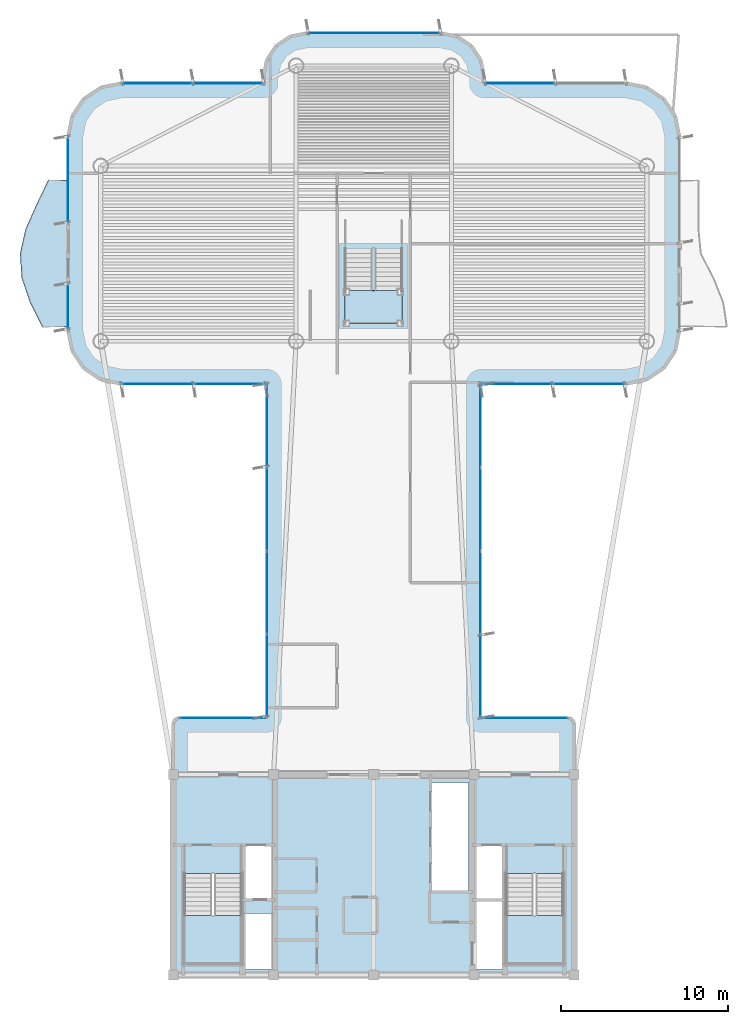
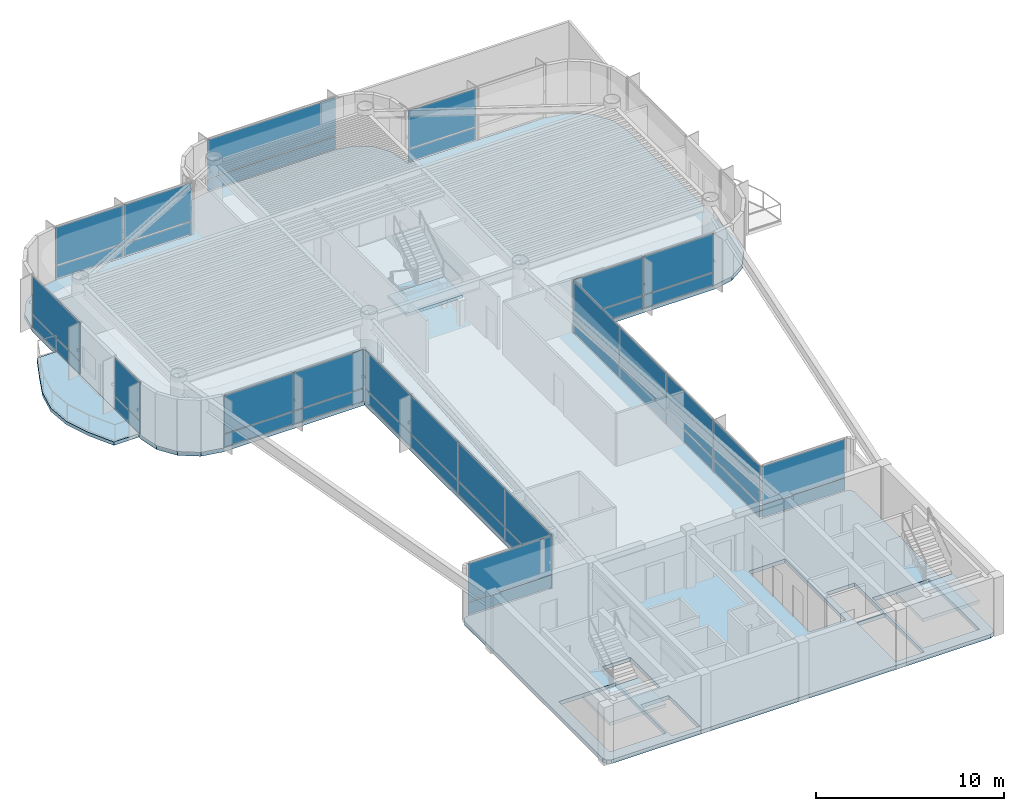
# One storey, part 9 of 17: 40 plates, 5 slabs, 14 elements without a shape of their own.
"""IFC4 building model written with IfcOpenShell, lengths in metres."""

from ifc_helpers import new_model, si_unit, direction, frame, origin, origin_2d, place, context, subcontext, project, spatial, polyline, rectangle, outline, extrude, source, transform, mapped, material, layer, layer_set, type_object, element, aggregate, save


model = new_model("IFC4")

# Units and contexts
model_context = context("Model", 3, precision=1e-05, world=origin(), true_north=direction((0.0, 1.0)))
body_context = subcontext(model_context, "Body", "Model", "MODEL_VIEW")
ifc_project = project(units=[si_unit("LENGTHUNIT", "METRE"), si_unit("AREAUNIT", "SQUARE_METRE"), si_unit("VOLUMEUNIT", "CUBIC_METRE"), si_unit("PLANEANGLEUNIT", "RADIAN"), si_unit("MASSUNIT", "GRAM", prefix="KILO")], contexts=[model_context])

# Site, building, storey
site_placement = place(None, origin())
site = spatial("IfcSite", under=ifc_project, at=site_placement, CompositionType="ELEMENT")
building_placement = place(site_placement, origin())
building = spatial("IfcBuilding", under=site, at=building_placement, Name="Brelvock Crest Care Tower", CompositionType="ELEMENT")
storey_placement = place(building_placement, frame((0.0, 0.0, 287.280029296875)))
storey = spatial("IfcBuildingStorey", under=building, at=storey_placement, Name="L73", CompositionType="ELEMENT", Elevation=287.280029296875)

# Slabs
ifc_material_1 = material(Name="Concrete N50 (50 MPa)", Category="concrete")
ifc_layer_1 = layer(ifc_material_1, 0.22998046875, Name="SLB-FL4")
ifc_layer_set_1 = layer_set([ifc_layer_1], Name="Concrete N50 (50 MPa)")
slab_type_1 = type_object("IfcSlabType", Name="SLB-FL4", PredefinedType="FLOOR", material=ifc_layer_set_1)
slab_1_placement = place(storey_placement, frame((0.0, 0.0, -0.25)))
element("IfcSlab", 1, at=slab_1_placement, inside=storey, type_object=slab_type_1, Name="L73 Main Structural Slab", PredefinedType="FLOOR", context=body_context, shape_type="SweptSolid", body=[
    extrude(outline(polyline([(47.64990234375, 21.39990234375), (42.39990234375, 21.39990234375), (42.39990234375, 41.39990234375), (51.10009765625, 41.39990234375), (52.32470703125, 41.6435546875), (53.36279296875, 42.33740234375), (54.056396484375, 43.37548828125), (54.300048828125, 44.60009765625), (54.300048828125, 56.199951171875), (54.056396484375, 57.424560546875), (53.36279296875, 58.462646484375), (52.32470703125, 59.156494140625), (51.10009765625, 59.39990234375), (42.60009765625, 59.39990234375), (42.60009765625, 59.800048828125), (42.402099609375, 60.794921875), (41.83837890625, 61.638427734375), (40.9951171875, 62.2021484375), (40.0, 62.39990234375), (32.0, 62.39990234375), (31.0048828125, 62.2021484375), (30.16162109375, 61.638427734375), (29.597900390625, 60.794921875), (29.39990234375, 59.800048828125), (29.39990234375, 59.39990234375), (20.89990234375, 59.39990234375), (19.67529296875, 59.156494140625), (18.63720703125, 58.462646484375), (17.943603515625, 57.424560546875), (17.699951171875, 56.199951171875), (17.699951171875, 44.60009765625), (17.943603515625, 43.37548828125), (18.63720703125, 42.33740234375), (19.67529296875, 41.6435546875), (20.89990234375, 41.39990234375), (29.60009765625, 41.39990234375), (29.60009765625, 21.39990234375), (24.35009765625, 21.39990234375), (24.1025390625, 21.297607421875), (24.0, 21.050048828125), (24.0, 6.35009765625), (24.1025390625, 6.1025390625), (24.35009765625, 6.0), (47.64990234375, 6.0), (47.8974609375, 6.1025390625), (48.0, 6.35009765625), (48.0, 21.050048828125), (47.8974609375, 21.297607421875), (47.64990234375, 21.39990234375)]), holes=[polyline([(28.239990234375, 10.580078125), (29.97998046875, 10.580078125), (29.97998046875, 13.739990234375), (28.239990234375, 13.739990234375), (28.239990234375, 10.580078125)]), polyline([(42.02001953125, 10.580078125), (43.760009765625, 10.580078125), (43.760009765625, 13.739990234375), (42.02001953125, 13.739990234375), (42.02001953125, 10.580078125)]), polyline([(28.239990234375, 6.340087890625), (29.97998046875, 6.340087890625), (29.97998046875, 9.64990234375), (28.239990234375, 9.64990234375), (28.239990234375, 6.340087890625)]), polyline([(24.6298828125, 12.080078125), (24.6298828125, 6.699951171875), (28.110107421875, 6.699951171875), (28.110107421875, 12.080078125), (24.6298828125, 12.080078125)]), polyline([(43.889892578125, 12.080078125), (43.889892578125, 6.699951171875), (47.3701171875, 6.699951171875), (47.3701171875, 12.080078125), (43.889892578125, 12.080078125)]), polyline([(42.02001953125, 6.340087890625), (43.760009765625, 6.340087890625), (43.760009765625, 10.5), (42.02001953125, 10.5), (42.02001953125, 6.340087890625)]), polyline([(39.429931640625, 11.030029296875), (41.669921875, 11.030029296875), (41.669921875, 17.52001953125), (39.429931640625, 17.52001953125), (39.429931640625, 11.030029296875)])]), origin(), (0.0, 0.0, 1.0), 0.25),
])
ifc_layer_2 = layer(ifc_material_1, 0.219970703125, Name="SLB-WB1")
ifc_layer_set_2 = layer_set([ifc_layer_2], Name="Concrete N50 (50 MPa)")
slab_type_2 = type_object("IfcSlabType", Name="SLB-WB1", PredefinedType="FLOOR", material=ifc_layer_set_2)
slab_2_placement = place(storey_placement, frame((0.0, 0.0, -0.219970703125)))
element("IfcSlab", 2, at=slab_2_placement, inside=storey, type_object=slab_type_2, Name="L73 W Sinusoidal Wave Balcony Slab", PredefinedType="FLOOR", context=body_context, shape_type="SweptSolid", body=[
    extrude(outline(polyline([(17.699951171875, 53.60009765625), (16.5, 53.60009765625), (15.800537109375, 52.13330078125), (15.146728515625, 50.666748046875), (14.816650390625, 49.199951171875), (14.916748046875, 47.7333984375), (15.414794921875, 46.2666015625), (16.14990234375, 44.800048828125), (17.699951171875, 44.800048828125), (17.699951171875, 53.60009765625)])), origin(), (0.0, 0.0, 1.0), 0.219970703125),
])

# Stair, slab
ifc_material_2 = material(Name="Concrete N40 (40 MPa)", Category="concrete")
stair_type_1 = type_object("IfcStairType", Name="ST-CORE1", PredefinedType="HALF_TURN_STAIR", material=ifc_material_2)
stair_1_placement = place(storey_placement, origin())
stair_1 = element("IfcStair", 3, at=stair_1_placement, inside=storey, type_object=stair_type_1, Name="L73 Fire-Isolated Core Stair ST-1", PredefinedType="HALF_TURN_STAIR")
ifc_layer_3 = layer(ifc_material_2, 0.199951171875, Name="STL-1")
ifc_layer_set_3 = layer_set([ifc_layer_3], Name="Concrete N40 (40 MPa)")
slab_type_3 = type_object("IfcSlabType", Name="STL-1", PredefinedType="LANDING", material=ifc_layer_set_3)
slab_3_placement = place(storey_placement, frame((0.0, 0.0, 1.68994140625)))
slab_3 = element("IfcSlab", 4, at=slab_3_placement, type_object=slab_type_3, Name="ST-1 landing 1", PredefinedType="LANDING", context=body_context, shape_type="SweptSolid", body=[
    extrude(outline(polyline([(24.6298828125, 9.56005859375), (24.6298828125, 6.699951171875), (28.110107421875, 6.699951171875), (28.110107421875, 9.56005859375), (24.6298828125, 9.56005859375)])), origin(), (0.0, 0.0, 1.0), 0.199951171875),
])
aggregate(stair_1, [slab_3])

stair_2_placement = place(storey_placement, origin())
stair_2 = element("IfcStair", 5, at=stair_2_placement, inside=storey, type_object=stair_type_1, Name="L73 Fire-Isolated Core Stair ST-2", PredefinedType="HALF_TURN_STAIR")
slab_4_placement = place(storey_placement, frame((0.0, 0.0, 1.68994140625)))
slab_4 = element("IfcSlab", 6, at=slab_4_placement, type_object=slab_type_3, Name="ST-2 landing 1", PredefinedType="LANDING", context=body_context, shape_type="SweptSolid", body=[
    extrude(outline(polyline([(43.889892578125, 9.56005859375), (43.889892578125, 6.699951171875), (47.3701171875, 6.699951171875), (47.3701171875, 9.56005859375), (43.889892578125, 9.56005859375)])), origin(), (0.0, 0.0, 1.0), 0.199951171875),
])
aggregate(stair_2, [slab_4])

stair_type_2 = type_object("IfcStairType", Name="ST-FEA1", PredefinedType="HALF_TURN_STAIR", material=ifc_material_2)
stair_3_placement = place(storey_placement, origin())
stair_3 = element("IfcStair", 7, at=stair_3_placement, inside=storey, type_object=stair_type_2, Name="L73 Sky Observation Gallery Stair ST-6", PredefinedType="HALF_TURN_STAIR")
slab_5_placement = place(storey_placement, frame((0.0, 0.0, 1.68994140625)))
slab_5 = element("IfcSlab", 8, at=slab_5_placement, type_object=slab_type_3, Name="ST-6 landing 1", PredefinedType="LANDING", context=body_context, shape_type="SweptSolid", body=[
    extrude(outline(polyline([(34.239990234375, 46.97998046875), (34.239990234375, 45.0), (37.719970703125, 45.0), (37.719970703125, 46.97998046875), (34.239990234375, 46.97998046875)])), origin(), (0.0, 0.0, 1.0), 0.199951171875),
])
aggregate(stair_3, [slab_5])

# Curtain wall, plate
ifc_material_3 = material(Name="Dark Glass Double Glazed Low-E", Category="glass")
ifc_layer_4 = layer(ifc_material_3, 0.2548828125, Name="CWS-6")
ifc_layer_set_4 = layer_set([ifc_layer_4], Name="Dark Glass Double Glazed Low-E")
curtain_wall_type = type_object("IfcCurtainWallType", Name="CWS-6", PredefinedType="NOTDEFINED", material=ifc_layer_set_4)
curtain_wall_1_placement = place(storey_placement, origin())
curtain_wall_1 = element("IfcCurtainWall", 9, at=curtain_wall_1_placement, inside=storey, type_object=curtain_wall_type, Name="L73 Curtain Wall E10", PredefinedType="NOTDEFINED")
ifc_material_4 = material(Name="Dark Glass Shadow-Box Spandrel", Category="glass")
ifc_layer_5 = layer(ifc_material_4, 0.048095703125, Name="CWP-SP1")
ifc_layer_set_5 = layer_set([ifc_layer_5], Name="Dark Glass Shadow-Box Spandrel")
plate_type_1 = type_object("IfcPlateType", Name="CWP-SP1", PredefinedType="SHEET", material=ifc_layer_set_5)
shared_shape_1 = source(origin(), body_context, "Body", "SweptSolid", [
    extrude(rectangle(XDim=5.1201171875, YDim=0.035888671875, at=origin_2d()), origin(), (0.0, 0.0, 1.0), 0.802490234375),
])
plate_1_placement = place(storey_placement, frame((26.97509765625, 21.39990234375, 0.06494140625), z_axis=(0.0, 0.0, 1.0), x_axis=(1.0, 0.0, 0.0)))
plate_1 = element("IfcPlate", 10, at=plate_1_placement, type_object=plate_type_1, Name="CW-6 panel 1.1", PredefinedType="SHEET", context=body_context, shape_type="MappedRepresentation", body=[
    mapped(shared_shape_1, transform((0.0, 0.0, 0.0), x_axis=(1.0, 0.0, 0.0), y_axis=(0.0, 1.0, 0.0), z_axis=(0.0, 0.0, 1.0), scale=1.0)),
])

curtain_wall_2_placement = place(storey_placement, origin())
curtain_wall_2 = element("IfcCurtainWall", 11, at=curtain_wall_2_placement, inside=storey, type_object=curtain_wall_type, Name="L73 Curtain Wall E46", PredefinedType="NOTDEFINED")
plate_2_placement = place(storey_placement, frame((45.02490234375, 21.39990234375, 0.06494140625), z_axis=(0.0, 0.0, 1.0), x_axis=(1.0, 0.0, 0.0)))
plate_2 = element("IfcPlate", 12, at=plate_2_placement, type_object=plate_type_1, Name="CW-6 panel 1.1", PredefinedType="SHEET", context=body_context, shape_type="MappedRepresentation", body=[
    mapped(shared_shape_1, transform((0.0, 0.0, 0.0), x_axis=(1.0, 0.0, 0.0), y_axis=(0.0, 1.0, 0.0), z_axis=(0.0, 0.0, 1.0), scale=1.0)),
])

# Curtain wall, plates
curtain_wall_3_placement = place(storey_placement, origin())
curtain_wall_3 = element("IfcCurtainWall", 13, at=curtain_wall_3_placement, inside=storey, type_object=curtain_wall_type, Name="L73 Curtain Wall E11", PredefinedType="NOTDEFINED")
shared_shape_2 = source(origin(), body_context, "Body", "SweptSolid", [
    extrude(rectangle(XDim=4.902587890625, YDim=0.035888671875, at=origin_2d()), origin(), (0.0, 0.0, 1.0), 0.802490234375),
])
plate_3_placement = place(storey_placement, frame((29.60009765625, 23.916259765625, 0.06494140625), z_axis=(0.0, 0.0, 1.0), x_axis=(0.0, 1.0, 0.0)))
plate_3 = element("IfcPlate", 14, at=plate_3_placement, type_object=plate_type_1, Name="CW-6 panel 1.1", PredefinedType="SHEET", context=body_context, shape_type="MappedRepresentation", body=[
    mapped(shared_shape_2, transform((0.0, 0.0, 0.0), x_axis=(1.0, 0.0, 0.0), y_axis=(0.0, 1.0, 0.0), z_axis=(0.0, 0.0, 1.0), scale=1.0)),
])
plate_4_placement = place(storey_placement, frame((29.60009765625, 38.8837890625, 0.06494140625), z_axis=(0.0, 0.0, 1.0), x_axis=(0.0, 1.0, 0.0)))
plate_4 = element("IfcPlate", 15, at=plate_4_placement, type_object=plate_type_1, Name="CW-6 panel 4.1", PredefinedType="SHEET", context=body_context, shape_type="MappedRepresentation", body=[
    mapped(shared_shape_2, transform((0.0, 0.0, 0.0), x_axis=(1.0, 0.0, 0.0), y_axis=(0.0, 1.0, 0.0), z_axis=(0.0, 0.0, 1.0), scale=1.0)),
])

curtain_wall_4_placement = place(storey_placement, origin())
curtain_wall_4 = element("IfcCurtainWall", 16, at=curtain_wall_4_placement, inside=storey, type_object=curtain_wall_type, Name="L73 Curtain Wall E45", PredefinedType="NOTDEFINED")
plate_5_placement = place(storey_placement, frame((42.39990234375, 38.8837890625, 0.06494140625), z_axis=(0.0, 0.0, 1.0), x_axis=(0.0, -1.0, 0.0)))
plate_5 = element("IfcPlate", 17, at=plate_5_placement, type_object=plate_type_1, Name="CW-6 panel 1.1", PredefinedType="SHEET", context=body_context, shape_type="MappedRepresentation", body=[
    mapped(shared_shape_2, transform((0.0, 0.0, 0.0), x_axis=(1.0, 0.0, 0.0), y_axis=(0.0, 1.0, 0.0), z_axis=(0.0, 0.0, 1.0), scale=1.0)),
])
plate_6_placement = place(storey_placement, frame((42.39990234375, 23.916259765625, 0.06494140625), z_axis=(0.0, 0.0, 1.0), x_axis=(0.0, -1.0, 0.0)))
plate_6 = element("IfcPlate", 18, at=plate_6_placement, type_object=plate_type_1, Name="CW-6 panel 4.1", PredefinedType="SHEET", context=body_context, shape_type="MappedRepresentation", body=[
    mapped(shared_shape_2, transform((0.0, 0.0, 0.0), x_axis=(1.0, 0.0, 0.0), y_axis=(0.0, 1.0, 0.0), z_axis=(0.0, 0.0, 1.0), scale=1.0)),
])

# Plate
shared_shape_3 = source(origin(), body_context, "Body", "SweptSolid", [
    extrude(rectangle(XDim=4.93505859375, YDim=0.035888671875, at=origin_2d()), origin(), (0.0, 0.0, 1.0), 0.802490234375),
])
plate_7_placement = place(storey_placement, frame((29.60009765625, 28.89990234375, 0.06494140625), z_axis=(0.0, 0.0, 1.0), x_axis=(0.0, 1.0, 0.0)))
plate_7 = element("IfcPlate", 19, at=plate_7_placement, type_object=plate_type_1, Name="CW-6 panel 2.1", PredefinedType="SHEET", context=body_context, shape_type="MappedRepresentation", body=[
    mapped(shared_shape_3, transform((0.0, 0.0, 0.0), x_axis=(1.0, 0.0, 0.0), y_axis=(0.0, 1.0, 0.0), z_axis=(0.0, 0.0, 1.0), scale=1.0)),
])

plate_8_placement = place(storey_placement, frame((29.60009765625, 33.89990234375, 0.06494140625), z_axis=(0.0, 0.0, 1.0), x_axis=(0.0, 1.0, 0.0)))
plate_8 = element("IfcPlate", 20, at=plate_8_placement, type_object=plate_type_1, Name="CW-6 panel 3.1", PredefinedType="SHEET", context=body_context, shape_type="MappedRepresentation", body=[
    mapped(shared_shape_3, transform((0.0, 0.0, 0.0), x_axis=(1.0, 0.0, 0.0), y_axis=(0.0, 1.0, 0.0), z_axis=(0.0, 0.0, 1.0), scale=1.0)),
])

plate_9_placement = place(storey_placement, frame((42.39990234375, 33.89990234375, 0.06494140625), z_axis=(0.0, 0.0, 1.0), x_axis=(0.0, -1.0, 0.0)))
plate_9 = element("IfcPlate", 21, at=plate_9_placement, type_object=plate_type_1, Name="CW-6 panel 2.1", PredefinedType="SHEET", context=body_context, shape_type="MappedRepresentation", body=[
    mapped(shared_shape_3, transform((0.0, 0.0, 0.0), x_axis=(1.0, 0.0, 0.0), y_axis=(0.0, 1.0, 0.0), z_axis=(0.0, 0.0, 1.0), scale=1.0)),
])

plate_10_placement = place(storey_placement, frame((42.39990234375, 28.89990234375, 0.06494140625), z_axis=(0.0, 0.0, 1.0), x_axis=(0.0, -1.0, 0.0)))
plate_10 = element("IfcPlate", 22, at=plate_10_placement, type_object=plate_type_1, Name="CW-6 panel 3.1", PredefinedType="SHEET", context=body_context, shape_type="MappedRepresentation", body=[
    mapped(shared_shape_3, transform((0.0, 0.0, 0.0), x_axis=(1.0, 0.0, 0.0), y_axis=(0.0, 1.0, 0.0), z_axis=(0.0, 0.0, 1.0), scale=1.0)),
])

# Curtain wall, plates
curtain_wall_5_placement = place(storey_placement, origin())
curtain_wall_5 = element("IfcCurtainWall", 23, at=curtain_wall_5_placement, inside=storey, type_object=curtain_wall_type, Name="L73 Curtain Wall E22", PredefinedType="NOTDEFINED")
shared_shape_4 = source(origin(), body_context, "Body", "SweptSolid", [
    extrude(rectangle(XDim=4.152587890625, YDim=0.035888671875, at=origin_2d()), origin(), (0.0, 0.0, 1.0), 0.802490234375),
])
plate_11_placement = place(storey_placement, frame((23.041259765625, 59.39990234375, 0.06494140625), z_axis=(0.0, 0.0, 1.0), x_axis=(1.0, 0.0, 0.0)))
plate_11 = element("IfcPlate", 24, at=plate_11_placement, type_object=plate_type_1, Name="CW-6 panel 1.1", PredefinedType="SHEET", context=body_context, shape_type="MappedRepresentation", body=[
    mapped(shared_shape_4, transform((0.0, 0.0, 0.0), x_axis=(1.0, 0.0, 0.0), y_axis=(0.0, 1.0, 0.0), z_axis=(0.0, 0.0, 1.0), scale=1.0)),
])
plate_12_placement = place(storey_placement, frame((27.2587890625, 59.39990234375, 0.06494140625), z_axis=(0.0, 0.0, 1.0), x_axis=(1.0, 0.0, 0.0)))
plate_12 = element("IfcPlate", 25, at=plate_12_placement, type_object=plate_type_1, Name="CW-6 panel 2.1", PredefinedType="SHEET", context=body_context, shape_type="MappedRepresentation", body=[
    mapped(shared_shape_4, transform((0.0, 0.0, 0.0), x_axis=(1.0, 0.0, 0.0), y_axis=(0.0, 1.0, 0.0), z_axis=(0.0, 0.0, 1.0), scale=1.0)),
])

# Curtain wall, plate
curtain_wall_6_placement = place(storey_placement, origin())
curtain_wall_6 = element("IfcCurtainWall", 26, at=curtain_wall_6_placement, inside=storey, type_object=curtain_wall_type, Name="L73 Curtain Wall E34", PredefinedType="NOTDEFINED")
plate_13_placement = place(storey_placement, frame((44.7412109375, 59.39990234375, 0.06494140625), z_axis=(0.0, 0.0, 1.0), x_axis=(1.0, 0.0, 0.0)))
plate_13 = element("IfcPlate", 27, at=plate_13_placement, type_object=plate_type_1, Name="CW-6 panel 1.1", PredefinedType="SHEET", context=body_context, shape_type="MappedRepresentation", body=[
    mapped(shared_shape_4, transform((0.0, 0.0, 0.0), x_axis=(1.0, 0.0, 0.0), y_axis=(0.0, 1.0, 0.0), z_axis=(0.0, 0.0, 1.0), scale=1.0)),
])

curtain_wall_7_placement = place(storey_placement, origin())
curtain_wall_7 = element("IfcCurtainWall", 28, at=curtain_wall_7_placement, inside=storey, type_object=curtain_wall_type, Name="L73 Curtain Wall E28", PredefinedType="NOTDEFINED")
shared_shape_5 = source(origin(), body_context, "Body", "SweptSolid", [
    extrude(rectangle(XDim=7.8701171875, YDim=0.035888671875, at=origin_2d()), origin(), (0.0, 0.0, 1.0), 0.802490234375),
])
plate_14_placement = place(storey_placement, frame((36.0, 62.39990234375, 0.06494140625), z_axis=(0.0, 0.0, 1.0), x_axis=(1.0, 0.0, 0.0)))
plate_14 = element("IfcPlate", 29, at=plate_14_placement, type_object=plate_type_1, Name="CW-6 panel 1.1", PredefinedType="SHEET", context=body_context, shape_type="MappedRepresentation", body=[
    mapped(shared_shape_5, transform((0.0, 0.0, 0.0), x_axis=(1.0, 0.0, 0.0), y_axis=(0.0, 1.0, 0.0), z_axis=(0.0, 0.0, 1.0), scale=1.0)),
])

# Plate
ifc_layer_6 = layer(ifc_material_3, 0.0380859375, Name="CWP-V2")
ifc_layer_set_6 = layer_set([ifc_layer_6], Name="Dark Glass Double Glazed Low-E")
plate_type_2 = type_object("IfcPlateType", Name="CWP-V2", PredefinedType="CURTAIN_PANEL", material=ifc_layer_set_6)
shared_shape_6 = source(origin(), body_context, "Body", "SweptSolid", [
    extrude(rectangle(XDim=5.1201171875, YDim=0.035888671875, at=origin_2d()), origin(), (0.0, 0.0, 1.0), 2.46240234375),
])
plate_15_placement = place(storey_placement, frame((26.97509765625, 21.39990234375, 0.9326171875), z_axis=(0.0, 0.0, 1.0), x_axis=(1.0, 0.0, 0.0)))
plate_15 = element("IfcPlate", 30, at=plate_15_placement, type_object=plate_type_2, Name="CW-6 panel 1.2", PredefinedType="CURTAIN_PANEL", context=body_context, shape_type="MappedRepresentation", body=[
    mapped(shared_shape_6, transform((0.0, 0.0, 0.0), x_axis=(1.0, 0.0, 0.0), y_axis=(0.0, 1.0, 0.0), z_axis=(0.0, 0.0, 1.0), scale=1.0)),
])

aggregate(curtain_wall_1, [plate_1, plate_15])

plate_16_placement = place(storey_placement, frame((45.02490234375, 21.39990234375, 0.9326171875), z_axis=(0.0, 0.0, 1.0), x_axis=(1.0, 0.0, 0.0)))
plate_16 = element("IfcPlate", 31, at=plate_16_placement, type_object=plate_type_2, Name="CW-6 panel 1.2", PredefinedType="CURTAIN_PANEL", context=body_context, shape_type="MappedRepresentation", body=[
    mapped(shared_shape_6, transform((0.0, 0.0, 0.0), x_axis=(1.0, 0.0, 0.0), y_axis=(0.0, 1.0, 0.0), z_axis=(0.0, 0.0, 1.0), scale=1.0)),
])

aggregate(curtain_wall_2, [plate_2, plate_16])

shared_shape_7 = source(origin(), body_context, "Body", "SweptSolid", [
    extrude(rectangle(XDim=4.902587890625, YDim=0.035888671875, at=origin_2d()), origin(), (0.0, 0.0, 1.0), 2.46240234375),
])
plate_17_placement = place(storey_placement, frame((29.60009765625, 23.916259765625, 0.9326171875), z_axis=(0.0, 0.0, 1.0), x_axis=(0.0, 1.0, 0.0)))
plate_17 = element("IfcPlate", 32, at=plate_17_placement, type_object=plate_type_2, Name="CW-6 panel 1.2", PredefinedType="CURTAIN_PANEL", context=body_context, shape_type="MappedRepresentation", body=[
    mapped(shared_shape_7, transform((0.0, 0.0, 0.0), x_axis=(1.0, 0.0, 0.0), y_axis=(0.0, 1.0, 0.0), z_axis=(0.0, 0.0, 1.0), scale=1.0)),
])

plate_18_placement = place(storey_placement, frame((29.60009765625, 38.8837890625, 0.9326171875), z_axis=(0.0, 0.0, 1.0), x_axis=(0.0, 1.0, 0.0)))
plate_18 = element("IfcPlate", 33, at=plate_18_placement, type_object=plate_type_2, Name="CW-6 panel 4.2", PredefinedType="CURTAIN_PANEL", context=body_context, shape_type="MappedRepresentation", body=[
    mapped(shared_shape_7, transform((0.0, 0.0, 0.0), x_axis=(1.0, 0.0, 0.0), y_axis=(0.0, 1.0, 0.0), z_axis=(0.0, 0.0, 1.0), scale=1.0)),
])

plate_19_placement = place(storey_placement, frame((42.39990234375, 38.8837890625, 0.9326171875), z_axis=(0.0, 0.0, 1.0), x_axis=(0.0, -1.0, 0.0)))
plate_19 = element("IfcPlate", 34, at=plate_19_placement, type_object=plate_type_2, Name="CW-6 panel 1.2", PredefinedType="CURTAIN_PANEL", context=body_context, shape_type="MappedRepresentation", body=[
    mapped(shared_shape_7, transform((0.0, 0.0, 0.0), x_axis=(1.0, 0.0, 0.0), y_axis=(0.0, 1.0, 0.0), z_axis=(0.0, 0.0, 1.0), scale=1.0)),
])

plate_20_placement = place(storey_placement, frame((42.39990234375, 23.916259765625, 0.9326171875), z_axis=(0.0, 0.0, 1.0), x_axis=(0.0, -1.0, 0.0)))
plate_20 = element("IfcPlate", 35, at=plate_20_placement, type_object=plate_type_2, Name="CW-6 panel 4.2", PredefinedType="CURTAIN_PANEL", context=body_context, shape_type="MappedRepresentation", body=[
    mapped(shared_shape_7, transform((0.0, 0.0, 0.0), x_axis=(1.0, 0.0, 0.0), y_axis=(0.0, 1.0, 0.0), z_axis=(0.0, 0.0, 1.0), scale=1.0)),
])

shared_shape_8 = source(origin(), body_context, "Body", "SweptSolid", [
    extrude(rectangle(XDim=4.93505859375, YDim=0.035888671875, at=origin_2d()), origin(), (0.0, 0.0, 1.0), 2.46240234375),
])
plate_21_placement = place(storey_placement, frame((29.60009765625, 28.89990234375, 0.9326171875), z_axis=(0.0, 0.0, 1.0), x_axis=(0.0, 1.0, 0.0)))
plate_21 = element("IfcPlate", 36, at=plate_21_placement, type_object=plate_type_2, Name="CW-6 panel 2.2", PredefinedType="CURTAIN_PANEL", context=body_context, shape_type="MappedRepresentation", body=[
    mapped(shared_shape_8, transform((0.0, 0.0, 0.0), x_axis=(1.0, 0.0, 0.0), y_axis=(0.0, 1.0, 0.0), z_axis=(0.0, 0.0, 1.0), scale=1.0)),
])

plate_22_placement = place(storey_placement, frame((29.60009765625, 33.89990234375, 0.9326171875), z_axis=(0.0, 0.0, 1.0), x_axis=(0.0, 1.0, 0.0)))
plate_22 = element("IfcPlate", 37, at=plate_22_placement, type_object=plate_type_2, Name="CW-6 panel 3.2", PredefinedType="CURTAIN_PANEL", context=body_context, shape_type="MappedRepresentation", body=[
    mapped(shared_shape_8, transform((0.0, 0.0, 0.0), x_axis=(1.0, 0.0, 0.0), y_axis=(0.0, 1.0, 0.0), z_axis=(0.0, 0.0, 1.0), scale=1.0)),
])

aggregate(curtain_wall_3, [plate_3, plate_17, plate_7, plate_21, plate_8, plate_22, plate_4, plate_18])

plate_23_placement = place(storey_placement, frame((42.39990234375, 33.89990234375, 0.9326171875), z_axis=(0.0, 0.0, 1.0), x_axis=(0.0, -1.0, 0.0)))
plate_23 = element("IfcPlate", 38, at=plate_23_placement, type_object=plate_type_2, Name="CW-6 panel 2.2", PredefinedType="CURTAIN_PANEL", context=body_context, shape_type="MappedRepresentation", body=[
    mapped(shared_shape_8, transform((0.0, 0.0, 0.0), x_axis=(1.0, 0.0, 0.0), y_axis=(0.0, 1.0, 0.0), z_axis=(0.0, 0.0, 1.0), scale=1.0)),
])

plate_24_placement = place(storey_placement, frame((42.39990234375, 28.89990234375, 0.9326171875), z_axis=(0.0, 0.0, 1.0), x_axis=(0.0, -1.0, 0.0)))
plate_24 = element("IfcPlate", 39, at=plate_24_placement, type_object=plate_type_2, Name="CW-6 panel 3.2", PredefinedType="CURTAIN_PANEL", context=body_context, shape_type="MappedRepresentation", body=[
    mapped(shared_shape_8, transform((0.0, 0.0, 0.0), x_axis=(1.0, 0.0, 0.0), y_axis=(0.0, 1.0, 0.0), z_axis=(0.0, 0.0, 1.0), scale=1.0)),
])

aggregate(curtain_wall_4, [plate_5, plate_19, plate_9, plate_23, plate_10, plate_24, plate_6, plate_20])

# Curtain wall, plates
curtain_wall_8_placement = place(storey_placement, origin())
curtain_wall_8 = element("IfcCurtainWall", 40, at=curtain_wall_8_placement, inside=storey, type_object=curtain_wall_type, Name="L73 Curtain Wall E12", PredefinedType="NOTDEFINED")
shared_shape_9 = source(origin(), body_context, "Body", "SweptSolid", [
    extrude(rectangle(XDim=4.25244140625, YDim=0.035888671875, at=origin_2d()), origin(), (0.0, 0.0, 1.0), 0.802490234375),
])
plate_25_placement = place(storey_placement, frame((27.40869140625, 41.39990234375, 0.06494140625), z_axis=(0.0, 0.0, 1.0), x_axis=(-1.0, 0.0, 0.0)))
plate_25 = element("IfcPlate", 41, at=plate_25_placement, type_object=plate_type_1, Name="CW-6 panel 1.1", PredefinedType="SHEET", context=body_context, shape_type="MappedRepresentation", body=[
    mapped(shared_shape_9, transform((0.0, 0.0, 0.0), x_axis=(1.0, 0.0, 0.0), y_axis=(0.0, 1.0, 0.0), z_axis=(0.0, 0.0, 1.0), scale=1.0)),
])
plate_26_placement = place(storey_placement, frame((23.09130859375, 41.39990234375, 0.06494140625), z_axis=(0.0, 0.0, 1.0), x_axis=(-1.0, 0.0, 0.0)))
plate_26 = element("IfcPlate", 42, at=plate_26_placement, type_object=plate_type_1, Name="CW-6 panel 2.1", PredefinedType="SHEET", context=body_context, shape_type="MappedRepresentation", body=[
    mapped(shared_shape_9, transform((0.0, 0.0, 0.0), x_axis=(1.0, 0.0, 0.0), y_axis=(0.0, 1.0, 0.0), z_axis=(0.0, 0.0, 1.0), scale=1.0)),
])

curtain_wall_9_placement = place(storey_placement, origin())
curtain_wall_9 = element("IfcCurtainWall", 43, at=curtain_wall_9_placement, inside=storey, type_object=curtain_wall_type, Name="L73 Curtain Wall E44", PredefinedType="NOTDEFINED")
plate_27_placement = place(storey_placement, frame((48.90869140625, 41.39990234375, 0.06494140625), z_axis=(0.0, 0.0, 1.0), x_axis=(-1.0, 0.0, 0.0)))
plate_27 = element("IfcPlate", 44, at=plate_27_placement, type_object=plate_type_1, Name="CW-6 panel 1.1", PredefinedType="SHEET", context=body_context, shape_type="MappedRepresentation", body=[
    mapped(shared_shape_9, transform((0.0, 0.0, 0.0), x_axis=(1.0, 0.0, 0.0), y_axis=(0.0, 1.0, 0.0), z_axis=(0.0, 0.0, 1.0), scale=1.0)),
])
plate_28_placement = place(storey_placement, frame((44.59130859375, 41.39990234375, 0.06494140625), z_axis=(0.0, 0.0, 1.0), x_axis=(-1.0, 0.0, 0.0)))
plate_28 = element("IfcPlate", 45, at=plate_28_placement, type_object=plate_type_1, Name="CW-6 panel 2.1", PredefinedType="SHEET", context=body_context, shape_type="MappedRepresentation", body=[
    mapped(shared_shape_9, transform((0.0, 0.0, 0.0), x_axis=(1.0, 0.0, 0.0), y_axis=(0.0, 1.0, 0.0), z_axis=(0.0, 0.0, 1.0), scale=1.0)),
])

# Plate
shared_shape_10 = source(origin(), body_context, "Body", "SweptSolid", [
    extrude(rectangle(XDim=4.25244140625, YDim=0.035888671875, at=origin_2d()), origin(), (0.0, 0.0, 1.0), 2.46240234375),
])
plate_29_placement = place(storey_placement, frame((27.40869140625, 41.39990234375, 0.9326171875), z_axis=(0.0, 0.0, 1.0), x_axis=(-1.0, 0.0, 0.0)))
plate_29 = element("IfcPlate", 46, at=plate_29_placement, type_object=plate_type_2, Name="CW-6 panel 1.2", PredefinedType="CURTAIN_PANEL", context=body_context, shape_type="MappedRepresentation", body=[
    mapped(shared_shape_10, transform((0.0, 0.0, 0.0), x_axis=(1.0, 0.0, 0.0), y_axis=(0.0, 1.0, 0.0), z_axis=(0.0, 0.0, 1.0), scale=1.0)),
])

plate_30_placement = place(storey_placement, frame((23.09130859375, 41.39990234375, 0.9326171875), z_axis=(0.0, 0.0, 1.0), x_axis=(-1.0, 0.0, 0.0)))
plate_30 = element("IfcPlate", 47, at=plate_30_placement, type_object=plate_type_2, Name="CW-6 panel 2.2", PredefinedType="CURTAIN_PANEL", context=body_context, shape_type="MappedRepresentation", body=[
    mapped(shared_shape_10, transform((0.0, 0.0, 0.0), x_axis=(1.0, 0.0, 0.0), y_axis=(0.0, 1.0, 0.0), z_axis=(0.0, 0.0, 1.0), scale=1.0)),
])

aggregate(curtain_wall_8, [plate_25, plate_29, plate_26, plate_30])

plate_31_placement = place(storey_placement, frame((48.90869140625, 41.39990234375, 0.9326171875), z_axis=(0.0, 0.0, 1.0), x_axis=(-1.0, 0.0, 0.0)))
plate_31 = element("IfcPlate", 48, at=plate_31_placement, type_object=plate_type_2, Name="CW-6 panel 1.2", PredefinedType="CURTAIN_PANEL", context=body_context, shape_type="MappedRepresentation", body=[
    mapped(shared_shape_10, transform((0.0, 0.0, 0.0), x_axis=(1.0, 0.0, 0.0), y_axis=(0.0, 1.0, 0.0), z_axis=(0.0, 0.0, 1.0), scale=1.0)),
])

plate_32_placement = place(storey_placement, frame((44.59130859375, 41.39990234375, 0.9326171875), z_axis=(0.0, 0.0, 1.0), x_axis=(-1.0, 0.0, 0.0)))
plate_32 = element("IfcPlate", 49, at=plate_32_placement, type_object=plate_type_2, Name="CW-6 panel 2.2", PredefinedType="CURTAIN_PANEL", context=body_context, shape_type="MappedRepresentation", body=[
    mapped(shared_shape_10, transform((0.0, 0.0, 0.0), x_axis=(1.0, 0.0, 0.0), y_axis=(0.0, 1.0, 0.0), z_axis=(0.0, 0.0, 1.0), scale=1.0)),
])

aggregate(curtain_wall_9, [plate_27, plate_31, plate_28, plate_32])

# Curtain wall, plates
curtain_wall_10_placement = place(storey_placement, origin())
curtain_wall_10 = element("IfcCurtainWall", 50, at=curtain_wall_10_placement, inside=storey, type_object=curtain_wall_type, Name="L73 Curtain Wall E17A", PredefinedType="NOTDEFINED")
shared_shape_11 = source(origin(), body_context, "Body", "SweptSolid", [
    extrude(rectangle(XDim=2.669921875, YDim=0.035888671875, at=origin_2d()), origin(), (0.0, 0.0, 1.0), 0.802490234375),
])
plate_33_placement = place(storey_placement, frame((17.699951171875, 46.0, 0.06494140625), z_axis=(0.0, 0.0, 1.0), x_axis=(0.0, 1.0, 0.0)))
plate_33 = element("IfcPlate", 51, at=plate_33_placement, type_object=plate_type_1, Name="CW-6 panel 1.1", PredefinedType="SHEET", context=body_context, shape_type="MappedRepresentation", body=[
    mapped(shared_shape_11, transform((0.0, 0.0, 0.0), x_axis=(1.0, 0.0, 0.0), y_axis=(0.0, 1.0, 0.0), z_axis=(0.0, 0.0, 1.0), scale=1.0)),
])
shared_shape_12 = source(origin(), body_context, "Body", "SweptSolid", [
    extrude(rectangle(XDim=2.669921875, YDim=0.035888671875, at=origin_2d()), origin(), (0.0, 0.0, 1.0), 2.46240234375),
])
plate_34_placement = place(storey_placement, frame((17.699951171875, 46.0, 0.9326171875), z_axis=(0.0, 0.0, 1.0), x_axis=(0.0, 1.0, 0.0)))
plate_34 = element("IfcPlate", 52, at=plate_34_placement, type_object=plate_type_2, Name="CW-6 panel 1.2", PredefinedType="CURTAIN_PANEL", context=body_context, shape_type="MappedRepresentation", body=[
    mapped(shared_shape_12, transform((0.0, 0.0, 0.0), x_axis=(1.0, 0.0, 0.0), y_axis=(0.0, 1.0, 0.0), z_axis=(0.0, 0.0, 1.0), scale=1.0)),
])
aggregate(curtain_wall_10, [plate_33, plate_34])

curtain_wall_11_placement = place(storey_placement, origin())
curtain_wall_11 = element("IfcCurtainWall", 53, at=curtain_wall_11_placement, inside=storey, type_object=curtain_wall_type, Name="L73 Curtain Wall E17B", PredefinedType="NOTDEFINED")
shared_shape_13 = source(origin(), body_context, "Body", "SweptSolid", [
    extrude(rectangle(XDim=5.070068359375, YDim=0.035888671875, at=origin_2d()), origin(), (0.0, 0.0, 1.0), 0.802490234375),
])
plate_35_placement = place(storey_placement, frame((17.699951171875, 53.60009765625, 0.06494140625), z_axis=(0.0, 0.0, 1.0), x_axis=(0.0, 1.0, 0.0)))
plate_35 = element("IfcPlate", 54, at=plate_35_placement, type_object=plate_type_1, Name="CW-6 panel 1.1", PredefinedType="SHEET", context=body_context, shape_type="MappedRepresentation", body=[
    mapped(shared_shape_13, transform((0.0, 0.0, 0.0), x_axis=(1.0, 0.0, 0.0), y_axis=(0.0, 1.0, 0.0), z_axis=(0.0, 0.0, 1.0), scale=1.0)),
])
shared_shape_14 = source(origin(), body_context, "Body", "SweptSolid", [
    extrude(rectangle(XDim=5.070068359375, YDim=0.035888671875, at=origin_2d()), origin(), (0.0, 0.0, 1.0), 2.46240234375),
])
plate_36_placement = place(storey_placement, frame((17.699951171875, 53.60009765625, 0.9326171875), z_axis=(0.0, 0.0, 1.0), x_axis=(0.0, 1.0, 0.0)))
plate_36 = element("IfcPlate", 55, at=plate_36_placement, type_object=plate_type_2, Name="CW-6 panel 1.2", PredefinedType="CURTAIN_PANEL", context=body_context, shape_type="MappedRepresentation", body=[
    mapped(shared_shape_14, transform((0.0, 0.0, 0.0), x_axis=(1.0, 0.0, 0.0), y_axis=(0.0, 1.0, 0.0), z_axis=(0.0, 0.0, 1.0), scale=1.0)),
])
aggregate(curtain_wall_11, [plate_35, plate_36])

# Plate
shared_shape_15 = source(origin(), body_context, "Body", "SweptSolid", [
    extrude(rectangle(XDim=4.152587890625, YDim=0.035888671875, at=origin_2d()), origin(), (0.0, 0.0, 1.0), 2.46240234375),
])
plate_37_placement = place(storey_placement, frame((23.041259765625, 59.39990234375, 0.9326171875), z_axis=(0.0, 0.0, 1.0), x_axis=(1.0, 0.0, 0.0)))
plate_37 = element("IfcPlate", 56, at=plate_37_placement, type_object=plate_type_2, Name="CW-6 panel 1.2", PredefinedType="CURTAIN_PANEL", context=body_context, shape_type="MappedRepresentation", body=[
    mapped(shared_shape_15, transform((0.0, 0.0, 0.0), x_axis=(1.0, 0.0, 0.0), y_axis=(0.0, 1.0, 0.0), z_axis=(0.0, 0.0, 1.0), scale=1.0)),
])

plate_38_placement = place(storey_placement, frame((27.2587890625, 59.39990234375, 0.9326171875), z_axis=(0.0, 0.0, 1.0), x_axis=(1.0, 0.0, 0.0)))
plate_38 = element("IfcPlate", 57, at=plate_38_placement, type_object=plate_type_2, Name="CW-6 panel 2.2", PredefinedType="CURTAIN_PANEL", context=body_context, shape_type="MappedRepresentation", body=[
    mapped(shared_shape_15, transform((0.0, 0.0, 0.0), x_axis=(1.0, 0.0, 0.0), y_axis=(0.0, 1.0, 0.0), z_axis=(0.0, 0.0, 1.0), scale=1.0)),
])

aggregate(curtain_wall_5, [plate_11, plate_37, plate_12, plate_38])

plate_39_placement = place(storey_placement, frame((44.7412109375, 59.39990234375, 0.9326171875), z_axis=(0.0, 0.0, 1.0), x_axis=(1.0, 0.0, 0.0)))
plate_39 = element("IfcPlate", 58, at=plate_39_placement, type_object=plate_type_2, Name="CW-6 panel 1.2", PredefinedType="CURTAIN_PANEL", context=body_context, shape_type="MappedRepresentation", body=[
    mapped(shared_shape_15, transform((0.0, 0.0, 0.0), x_axis=(1.0, 0.0, 0.0), y_axis=(0.0, 1.0, 0.0), z_axis=(0.0, 0.0, 1.0), scale=1.0)),
])

aggregate(curtain_wall_6, [plate_13, plate_39])

shared_shape_16 = source(origin(), body_context, "Body", "SweptSolid", [
    extrude(rectangle(XDim=7.8701171875, YDim=0.035888671875, at=origin_2d()), origin(), (0.0, 0.0, 1.0), 2.46240234375),
])
plate_40_placement = place(storey_placement, frame((36.0, 62.39990234375, 0.9326171875), z_axis=(0.0, 0.0, 1.0), x_axis=(1.0, 0.0, 0.0)))
plate_40 = element("IfcPlate", 59, at=plate_40_placement, type_object=plate_type_2, Name="CW-6 panel 1.2", PredefinedType="CURTAIN_PANEL", context=body_context, shape_type="MappedRepresentation", body=[
    mapped(shared_shape_16, transform((0.0, 0.0, 0.0), x_axis=(1.0, 0.0, 0.0), y_axis=(0.0, 1.0, 0.0), z_axis=(0.0, 0.0, 1.0), scale=1.0)),
])

aggregate(curtain_wall_7, [plate_14, plate_40])

save(model, "model.ifc")
